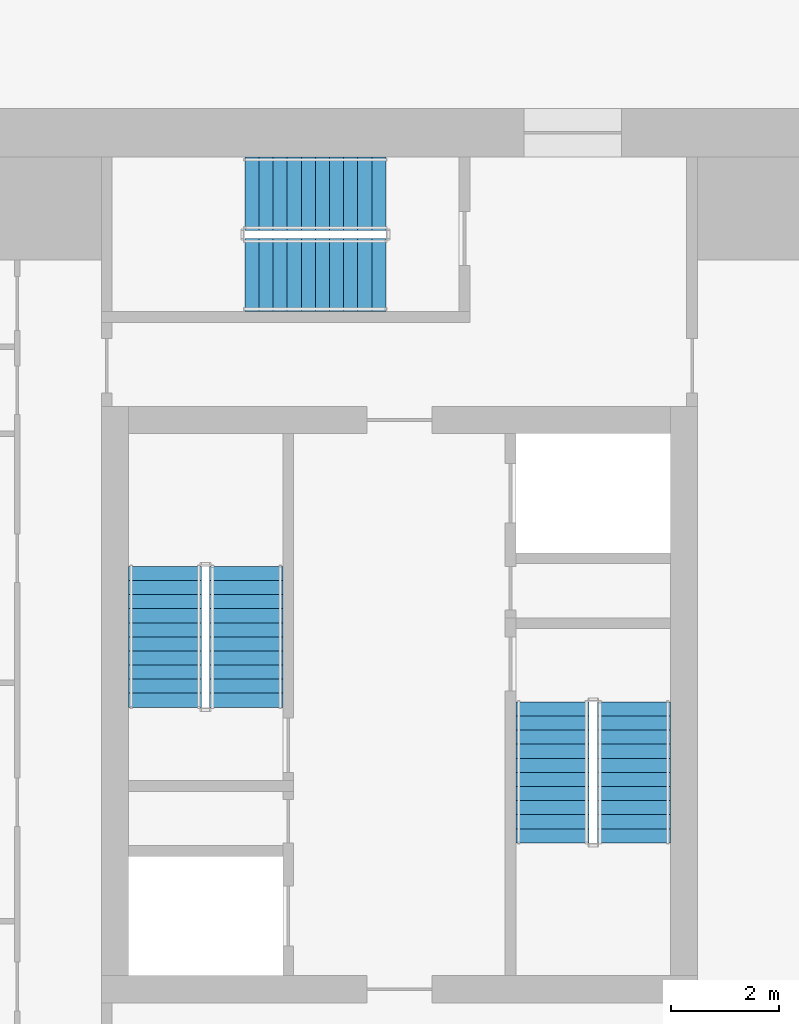
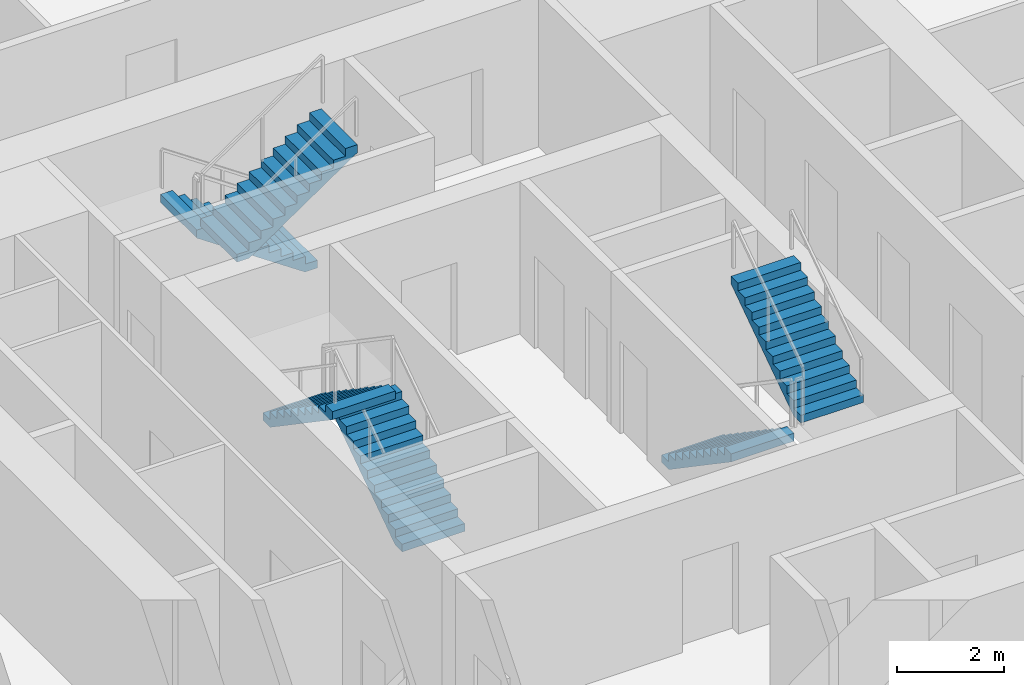
# One storey, part 10 of 16: 6 stair flights, 3 elements without a shape of their own.
"""IFC4 building model written with IfcOpenShell, lengths in metres."""

from ifc_helpers import new_model, si_unit, direction, frame, origin, place, context, subcontext, project, spatial, polyline, outline, extrude, material, type_object, element, aggregate, save


model = new_model("IFC4")

# Units and contexts
model_context = context("Model", 3, precision=1e-05, world=origin(), true_north=direction((0.0, 1.0)))
body_context = subcontext(model_context, "Body", "Model", "MODEL_VIEW")
ifc_project = project(units=[si_unit("LENGTHUNIT", "METRE"), si_unit("AREAUNIT", "SQUARE_METRE"), si_unit("VOLUMEUNIT", "CUBIC_METRE"), si_unit("PLANEANGLEUNIT", "RADIAN"), si_unit("MASSUNIT", "GRAM", prefix="KILO")], contexts=[model_context])

# Site, building, storey
site_placement = place(None, origin())
site = spatial("IfcSite", under=ifc_project, at=site_placement, CompositionType="ELEMENT")
building_placement = place(site_placement, origin())
building = spatial("IfcBuilding", under=site, at=building_placement, Name="Khepri Terraces", CompositionType="ELEMENT")
storey_placement = place(building_placement, frame((0.0, 0.0, 207.89990234375)))
storey = spatial("IfcBuildingStorey", under=building, at=storey_placement, Name="L49", CompositionType="ELEMENT", Elevation=207.89990234375)

# Stair, stair flights
ifc_material = material(Name="Concrete C40/50", Category="concrete")
stair_type = type_object("IfcStairType", Name="STAIR-RC-22R", PredefinedType="HALF_TURN_STAIR", material=ifc_material)
stair_1_placement = place(storey_placement, origin())
stair_1 = element("IfcStair", 1, at=stair_1_placement, inside=storey, type_object=stair_type, Name="L49 Exit Stair ST-1", PredefinedType="HALF_TURN_STAIR")
stair_flight_type = type_object("IfcStairFlightType", Name="SFL-RC-177.3", PredefinedType="STRAIGHT", material=ifc_material)
stair_flight_1_placement = place(storey_placement, frame((-2.824951171875, -0.050048828125, 0.0), z_axis=(0.0, 0.0, 1.0), x_axis=(0.0, 1.0, 0.0)))
stair_flight_1 = element("IfcStairFlight", 2, at=stair_flight_1_placement, type_object=stair_flight_type, Name="ST-1 flight 1", NumberOfRisers=11, NumberOfTreads=10, PredefinedType="STRAIGHT", RiserHeight=0.177272727, TreadLength=0.26, context=body_context, shape_type="SweptSolid", body=[
    extrude(outline(polyline([(0.0, 0.0), (0.0, 0.17724609375), (0.260009765625, 0.17724609375), (0.260009765625, 0.3544921875), (0.52001953125, 0.3544921875), (0.52001953125, 0.53173828125), (0.780029296875, 0.53173828125), (0.780029296875, 0.708984375), (1.0400390625, 0.708984375), (1.0400390625, 0.886474609375), (1.300048828125, 0.886474609375), (1.300048828125, 1.063720703125), (1.56005859375, 1.063720703125), (1.56005859375, 1.240966796875), (1.820068359375, 1.240966796875), (1.820068359375, 1.418212890625), (2.080078125, 1.418212890625), (2.080078125, 1.595458984375), (2.340087890625, 1.595458984375), (2.340087890625, 1.772705078125), (2.60009765625, 1.772705078125), (2.60009765625, 1.949951171875), (2.60009765625, 1.59130859375), (0.26611328125, 0.0), (0.0, 0.0)])), frame((0.0, 0.675048828125, 0.0), z_axis=(0.0, -1.0, 0.0), x_axis=(1.0, 0.0, 0.0)), (0.0, 0.0, 1.0), 1.35009765625),
])
stair_flight_2_placement = place(storey_placement, frame((-4.324951171875, 2.550048828125, 1.9501953125), z_axis=(0.0, 0.0, 1.0), x_axis=(0.0, -1.0, 0.0)))
stair_flight_2 = element("IfcStairFlight", 3, at=stair_flight_2_placement, type_object=stair_flight_type, Name="ST-1 flight 2", NumberOfRisers=11, NumberOfTreads=10, PredefinedType="STRAIGHT", RiserHeight=0.177272727, TreadLength=0.26, context=body_context, shape_type="SweptSolid", body=[
    extrude(outline(polyline([(0.0, 0.0), (0.0, 0.17724609375), (0.260009765625, 0.17724609375), (0.260009765625, 0.3544921875), (0.52001953125, 0.3544921875), (0.52001953125, 0.53173828125), (0.780029296875, 0.53173828125), (0.780029296875, 0.708984375), (1.0400390625, 0.708984375), (1.0400390625, 0.886474609375), (1.300048828125, 0.886474609375), (1.300048828125, 1.063720703125), (1.56005859375, 1.063720703125), (1.56005859375, 1.240966796875), (1.820068359375, 1.240966796875), (1.820068359375, 1.418212890625), (2.080078125, 1.418212890625), (2.080078125, 1.595458984375), (2.340087890625, 1.595458984375), (2.340087890625, 1.772705078125), (2.60009765625, 1.772705078125), (2.60009765625, 1.949951171875), (2.60009765625, 1.59130859375), (0.26611328125, 0.0), (0.0, 0.0)])), frame((0.0, 0.675048828125, 0.0), z_axis=(0.0, -1.0, 0.0), x_axis=(1.0, 0.0, 0.0)), (0.0, 0.0, 1.0), 1.35009765625),
])
aggregate(stair_1, [stair_flight_1, stair_flight_2])

stair_2_placement = place(storey_placement, origin())
stair_2 = element("IfcStair", 4, at=stair_2_placement, inside=storey, type_object=stair_type, Name="L49 Exit Stair ST-2", PredefinedType="HALF_TURN_STAIR")
stair_flight_3_placement = place(storey_placement, frame((2.824951171875, 0.050048828125, 0.0), z_axis=(0.0, 0.0, 1.0), x_axis=(0.0, -1.0, 0.0)))
stair_flight_3 = element("IfcStairFlight", 5, at=stair_flight_3_placement, type_object=stair_flight_type, Name="ST-2 flight 1", NumberOfRisers=11, NumberOfTreads=10, PredefinedType="STRAIGHT", RiserHeight=0.177272727, TreadLength=0.26, context=body_context, shape_type="SweptSolid", body=[
    extrude(outline(polyline([(0.0, 0.0), (0.0, 0.17724609375), (0.260009765625, 0.17724609375), (0.260009765625, 0.3544921875), (0.52001953125, 0.3544921875), (0.52001953125, 0.53173828125), (0.780029296875, 0.53173828125), (0.780029296875, 0.708984375), (1.0400390625, 0.708984375), (1.0400390625, 0.886474609375), (1.300048828125, 0.886474609375), (1.300048828125, 1.063720703125), (1.56005859375, 1.063720703125), (1.56005859375, 1.240966796875), (1.820068359375, 1.240966796875), (1.820068359375, 1.418212890625), (2.080078125, 1.418212890625), (2.080078125, 1.595458984375), (2.340087890625, 1.595458984375), (2.340087890625, 1.772705078125), (2.60009765625, 1.772705078125), (2.60009765625, 1.949951171875), (2.60009765625, 1.59130859375), (0.26611328125, 0.0), (0.0, 0.0)])), frame((0.0, 0.675048828125, 0.0), z_axis=(0.0, -1.0, 0.0), x_axis=(1.0, 0.0, 0.0)), (0.0, 0.0, 1.0), 1.35009765625),
])
stair_flight_4_placement = place(storey_placement, frame((4.324951171875, -2.550048828125, 1.9501953125), z_axis=(0.0, 0.0, 1.0), x_axis=(0.0, 1.0, 0.0)))
stair_flight_4 = element("IfcStairFlight", 6, at=stair_flight_4_placement, type_object=stair_flight_type, Name="ST-2 flight 2", NumberOfRisers=11, NumberOfTreads=10, PredefinedType="STRAIGHT", RiserHeight=0.177272727, TreadLength=0.26, context=body_context, shape_type="SweptSolid", body=[
    extrude(outline(polyline([(0.0, 0.0), (0.0, 0.17724609375), (0.260009765625, 0.17724609375), (0.260009765625, 0.3544921875), (0.52001953125, 0.3544921875), (0.52001953125, 0.53173828125), (0.780029296875, 0.53173828125), (0.780029296875, 0.708984375), (1.0400390625, 0.708984375), (1.0400390625, 0.886474609375), (1.300048828125, 0.886474609375), (1.300048828125, 1.063720703125), (1.56005859375, 1.063720703125), (1.56005859375, 1.240966796875), (1.820068359375, 1.240966796875), (1.820068359375, 1.418212890625), (2.080078125, 1.418212890625), (2.080078125, 1.595458984375), (2.340087890625, 1.595458984375), (2.340087890625, 1.772705078125), (2.60009765625, 1.772705078125), (2.60009765625, 1.949951171875), (2.60009765625, 1.59130859375), (0.26611328125, 0.0), (0.0, 0.0)])), frame((0.0, 0.675048828125, 0.0), z_axis=(0.0, -1.0, 0.0), x_axis=(1.0, 0.0, 0.0)), (0.0, 0.0, 1.0), 1.35009765625),
])
aggregate(stair_2, [stair_flight_3, stair_flight_4])

stair_3_placement = place(storey_placement, origin())
stair_3 = element("IfcStair", 7, at=stair_3_placement, inside=storey, type_object=stair_type, Name="L49 Exit Stair ST-3", PredefinedType="HALF_TURN_STAIR")
stair_flight_5_placement = place(storey_placement, frame((-0.25, 9.425048828125, 0.0), z_axis=(0.0, 0.0, 1.0), x_axis=(-1.0, 0.0, 0.0)))
stair_flight_5 = element("IfcStairFlight", 8, at=stair_flight_5_placement, type_object=stair_flight_type, Name="ST-3 flight 1", NumberOfRisers=11, NumberOfTreads=10, PredefinedType="STRAIGHT", RiserHeight=0.177272727, TreadLength=0.26, context=body_context, shape_type="SweptSolid", body=[
    extrude(outline(polyline([(0.0, 0.0), (0.0, 0.17724609375), (0.260009765625, 0.17724609375), (0.260009765625, 0.3544921875), (0.52001953125, 0.3544921875), (0.52001953125, 0.53173828125), (0.780029296875, 0.53173828125), (0.780029296875, 0.708984375), (1.0400390625, 0.708984375), (1.0400390625, 0.886474609375), (1.300048828125, 0.886474609375), (1.300048828125, 1.063720703125), (1.56005859375, 1.063720703125), (1.56005859375, 1.240966796875), (1.820068359375, 1.240966796875), (1.820068359375, 1.418212890625), (2.080078125, 1.418212890625), (2.080078125, 1.595458984375), (2.340087890625, 1.595458984375), (2.340087890625, 1.772705078125), (2.60009765625, 1.772705078125), (2.60009765625, 1.949951171875), (2.60009765625, 1.59130859375), (0.26611328125, 0.0), (0.0, 0.0)])), frame((0.0, 0.675048828125, 0.0), z_axis=(0.0, -1.0, 0.0), x_axis=(1.0, 0.0, 0.0)), (0.0, 0.0, 1.0), 1.35009765625),
])
stair_flight_6_placement = place(storey_placement, frame((-2.85009765625, 7.925048828125, 1.9501953125), z_axis=(0.0, 0.0, 1.0), x_axis=(1.0, 0.0, 0.0)))
stair_flight_6 = element("IfcStairFlight", 9, at=stair_flight_6_placement, type_object=stair_flight_type, Name="ST-3 flight 2", NumberOfRisers=11, NumberOfTreads=10, PredefinedType="STRAIGHT", RiserHeight=0.177272727, TreadLength=0.26, context=body_context, shape_type="SweptSolid", body=[
    extrude(outline(polyline([(0.0, 0.0), (0.0, 0.17724609375), (0.260009765625, 0.17724609375), (0.260009765625, 0.3544921875), (0.52001953125, 0.3544921875), (0.52001953125, 0.53173828125), (0.780029296875, 0.53173828125), (0.780029296875, 0.708984375), (1.0400390625, 0.708984375), (1.0400390625, 0.886474609375), (1.300048828125, 0.886474609375), (1.300048828125, 1.063720703125), (1.56005859375, 1.063720703125), (1.56005859375, 1.240966796875), (1.820068359375, 1.240966796875), (1.820068359375, 1.418212890625), (2.080078125, 1.418212890625), (2.080078125, 1.595458984375), (2.340087890625, 1.595458984375), (2.340087890625, 1.772705078125), (2.60009765625, 1.772705078125), (2.60009765625, 1.949951171875), (2.60009765625, 1.59130859375), (0.26611328125, 0.0), (0.0, 0.0)])), frame((0.0, 0.675048828125, 0.0), z_axis=(0.0, -1.0, 0.0), x_axis=(1.0, 0.0, 0.0)), (0.0, 0.0, 1.0), 1.35009765625),
])
aggregate(stair_3, [stair_flight_5, stair_flight_6])

save(model, "model.ifc")
